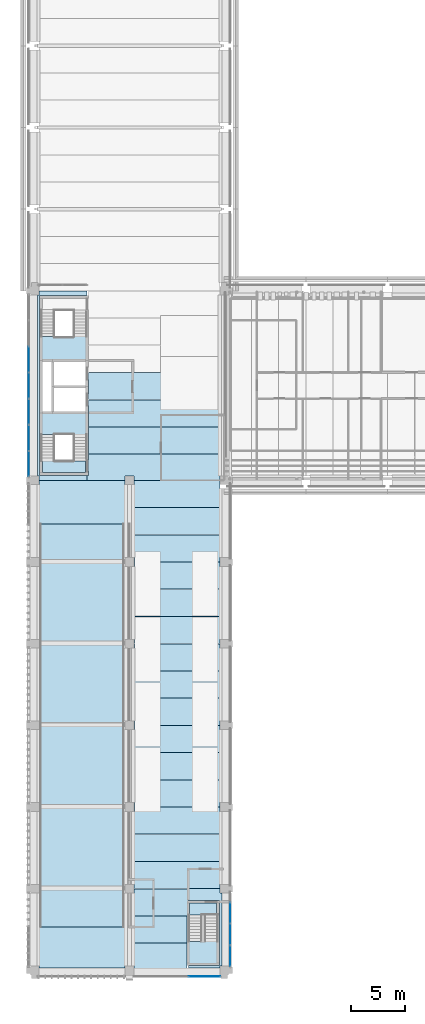
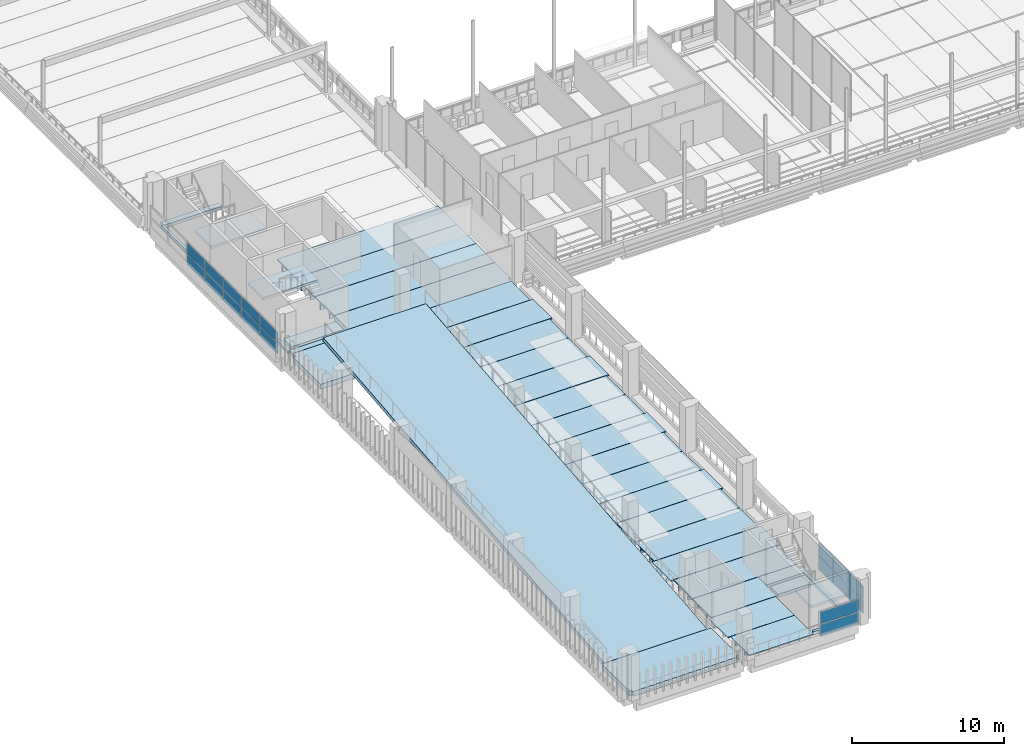
# One storey, part 34 of 62: 32 slabs, 18 plates, 6 elements without a shape of their own.
"""IFC4 building model written with IfcOpenShell, lengths in metres."""

from ifc_helpers import new_model, si_unit, direction, frame, origin, origin_2d, place, context, subcontext, project, spatial, polyline, rectangle, outline, extrude, material, layer, layer_set, material_profile, profile_set, type_object, element, aggregate, save


model = new_model("IFC4")

# Units and contexts
model_context = context("Model", 3, precision=1e-05, world=origin(), true_north=direction((0.0, 1.0)))
body_context = subcontext(model_context, "Body", "Model", "MODEL_VIEW")
ifc_project = project(units=[si_unit("LENGTHUNIT", "METRE"), si_unit("AREAUNIT", "SQUARE_METRE"), si_unit("VOLUMEUNIT", "CUBIC_METRE"), si_unit("PLANEANGLEUNIT", "RADIAN"), si_unit("MASSUNIT", "GRAM", prefix="KILO")], contexts=[model_context])

# Site, building, storey
site_placement = place(None, origin())
site = spatial("IfcSite", under=ifc_project, at=site_placement, CompositionType="ELEMENT")
building_placement = place(site_placement, origin())
building = spatial("IfcBuilding", under=site, at=building_placement, Name="Cour d'Honneur Mobility Palace", CompositionType="ELEMENT")
storey_placement = place(building_placement, frame((0.0, 0.0, 19.300048828125)))
storey = spatial("IfcBuildingStorey", under=building, at=storey_placement, Name="L05", CompositionType="ELEMENT", Elevation=19.300048828125)

# Slabs
ifc_material_1 = material(Name="Concrete C50", Category="concrete")
ifc_layer_1 = layer(ifc_material_1, 0.25)
ifc_layer_set_1 = layer_set([ifc_layer_1], Name="Concrete C50")
slab_type_1 = type_object("IfcSlabType", Name="Cast-in-place Slab 250", PredefinedType="FLOOR", material=ifc_layer_set_1)
slab_1_placement = place(storey_placement, frame((0.0, 0.0, -0.25)))
element("IfcSlab", 1, at=slab_1_placement, inside=storey, type_object=slab_type_1, Name="Cast-in-place slab S1 L05 core", PredefinedType="FLOOR", context=body_context, shape_type="SweptSolid", body=[
    extrude(outline(polyline([(0.39990234375, 45.39990234375), (0.25, 45.39990234375), (0.25, 62.0), (0.39990234375, 62.0), (0.39990234375, 62.39990234375), (4.800048828125, 62.39990234375), (4.800048828125, 61.949951171875), (0.449951171875, 61.949951171875), (0.449951171875, 45.449951171875), (4.800048828125, 45.449951171875), (4.800048828125, 45.0), (0.39990234375, 45.0), (0.39990234375, 45.39990234375)])), origin(), (0.0, 0.0, 1.0), 0.25),
])
slab_2_placement = place(storey_placement, frame((0.0, 0.0, -0.25)))
element("IfcSlab", 2, at=slab_2_placement, inside=storey, type_object=slab_type_1, Name="Cast-in-place slab S1 L05 core", PredefinedType="FLOOR", context=body_context, shape_type="SweptSolid", body=[
    extrude(outline(polyline([(0.699951171875, 45.699951171875), (0.699951171875, 46.77490234375), (4.675048828125, 46.77490234375), (4.675048828125, 45.699951171875), (0.699951171875, 45.699951171875)])), origin(), (0.0, 0.0, 1.0), 0.25),
])
slab_3_placement = place(storey_placement, frame((0.0, 0.0, -0.25)))
element("IfcSlab", 3, at=slab_3_placement, inside=storey, type_object=slab_type_1, Name="Cast-in-place slab S1 L05 stair strip", PredefinedType="FLOOR", context=body_context, shape_type="SweptSolid", body=[
    extrude(outline(polyline([(17.0, 7.10009765625), (17.199951171875, 7.10009765625), (17.199951171875, 0.39990234375), (17.0, 0.39990234375), (17.0, 0.22509765625), (14.10009765625, 0.22509765625), (14.10009765625, 0.449951171875), (16.949951171875, 0.449951171875), (16.949951171875, 6.425048828125), (14.10009765625, 6.425048828125), (14.10009765625, 7.5), (17.0, 7.5), (17.0, 7.10009765625)])), origin(), (0.0, 0.0, 1.0), 0.25),
])
slab_4_placement = place(storey_placement, frame((0.0, 0.0, -0.25)))
element("IfcSlab", 4, at=slab_4_placement, inside=storey, type_object=slab_type_1, Name="Cast-in-place slab S1 L05 stair strip", PredefinedType="FLOOR", context=body_context, shape_type="SweptSolid", body=[
    extrude(outline(polyline([(14.22509765625, 5.10009765625), (14.22509765625, 6.175048828125), (16.699951171875, 6.175048828125), (16.699951171875, 5.10009765625), (14.22509765625, 5.10009765625)])), origin(), (0.0, 0.0, 1.0), 0.25),
])
ifc_material_2 = material(Name="Concrete C50", Category="concrete")
ifc_layer_2 = layer(ifc_material_2, 0.39990234375)
ifc_layer_set_2 = layer_set([ifc_layer_2], Name="Concrete C50")
slab_type_2 = type_object("IfcSlabType", Name="Cast-in-place Slab 400", PredefinedType="LANDING", material=ifc_layer_set_2)
slab_5_placement = place(storey_placement, frame((0.0, 0.0, -0.400146484375)))
element("IfcSlab", 5, at=slab_5_placement, inside=storey, type_object=slab_type_2, Name="Cast-in-place slab S3 L05 landing", PredefinedType="LANDING", context=body_context, shape_type="SweptSolid", body=[
    extrude(outline(polyline([(8.300048828125, 0.39990234375), (8.300048828125, 0.22509765625), (0.39990234375, 0.22509765625), (0.39990234375, 0.39990234375), (0.199951171875, 0.39990234375), (0.199951171875, 4.0), (8.5, 4.0), (8.5, 0.39990234375), (8.300048828125, 0.39990234375)])), origin(), (0.0, 0.0, 1.0), 0.400146484375),
])
slab_6_placement = place(storey_placement, frame((0.0, 0.0, -0.400146484375)))
element("IfcSlab", 6, at=slab_6_placement, inside=storey, type_object=slab_type_2, Name="Cast-in-place slab S3 L05 landing", PredefinedType="LANDING", context=body_context, shape_type="SweptSolid", body=[
    extrude(outline(polyline([(8.5, 44.60009765625), (8.5, 41.0), (0.199951171875, 41.0), (0.199951171875, 44.60009765625), (0.39990234375, 44.60009765625), (0.39990234375, 45.0), (8.300048828125, 45.0), (8.300048828125, 44.60009765625), (8.5, 44.60009765625)])), origin(), (0.0, 0.0, 1.0), 0.400146484375),
])
ifc_material_3 = material(Name="Concrete C50", Category="concrete")
ifc_layer_3 = layer(ifc_material_3, 0.800048828125)
ifc_layer_set_3 = layer_set([ifc_layer_3], Name="Concrete C50")
slab_type_3 = type_object("IfcSlabType", Name="Cast-in-place Slab 800", PredefinedType="FLOOR", material=ifc_layer_set_3)
slab_7_placement = place(storey_placement, frame((0.0, 0.0, -0.800048828125)))
element("IfcSlab", 7, at=slab_7_placement, inside=storey, type_object=slab_type_3, Name="Cast-in-place slab S2 L05 closure", PredefinedType="FLOOR", context=body_context, shape_type="SweptSolid", body=[
    extrude(outline(polyline([(17.0, 45.39990234375), (17.0, 45.0), (9.10009765625, 45.0), (9.10009765625, 45.39990234375), (8.300048828125, 45.39990234375), (8.300048828125, 45.0), (4.800048828125, 45.0), (4.800048828125, 45.449951171875), (4.925048828125, 45.449951171875), (4.925048828125, 47.39990234375), (17.14990234375, 47.39990234375), (17.14990234375, 45.39990234375), (17.0, 45.39990234375)])), origin(), (0.0, 0.0, 1.0), 0.800048828125),
])

# Curtain wall, plates
ifc_material_4 = material(Name="Aluminium and glass", Category="aluminium")
ifc_layer_4 = layer(ifc_material_4, 0.10009765625)
ifc_layer_set_4 = layer_set([ifc_layer_4], Name="Aluminium and glass")
curtain_wall_type = type_object("IfcCurtainWallType", Name="Curtain wall run", PredefinedType="NOTDEFINED", material=ifc_layer_set_4)
curtain_wall_1_placement = place(storey_placement, origin())
curtain_wall_1 = element("IfcCurtainWall", 8, at=curtain_wall_1_placement, inside=storey, type_object=curtain_wall_type, Name="Curtain wall CW-105", PredefinedType="NOTDEFINED")
ifc_material_5 = material(Name="Double glazing", Category="glass")
ifc_layer_5 = layer(ifc_material_5, 0.028076171875)
ifc_layer_set_5 = layer_set([ifc_layer_5], Name="Double glazing")
plate_type = type_object("IfcPlateType", Name="Curtain wall panel", PredefinedType="CURTAIN_PANEL", material=ifc_layer_set_5)
plate_1_placement = place(storey_placement, frame((-0.550048828125, 56.10009765625, 0.06005859375), z_axis=(0.0, 0.0, 1.0), x_axis=(0.0, -1.0, 0.0)))
plate_1 = element("IfcPlate", 9, at=plate_1_placement, type_object=plate_type, Name="CW-105 panel 3.1", PredefinedType="CURTAIN_PANEL", context=body_context, shape_type="SweptSolid", body=[
    extrude(rectangle(XDim=2.340087890625, YDim=0.028076171875, at=origin_2d()), origin(), (0.0, 0.0, 1.0), 0.860107421875),
])
plate_2_placement = place(storey_placement, frame((-0.550048828125, 56.10009765625, 0.97998046875), z_axis=(0.0, 0.0, 1.0), x_axis=(0.0, -1.0, 0.0)))
plate_2 = element("IfcPlate", 10, at=plate_2_placement, type_object=plate_type, Name="CW-105 panel 3.2", PredefinedType="CURTAIN_PANEL", context=body_context, shape_type="SweptSolid", body=[
    extrude(rectangle(XDim=2.340087890625, YDim=0.028076171875, at=origin_2d()), origin(), (0.0, 0.0, 1.0), 0.860107421875),
])
plate_3_placement = place(storey_placement, frame((-0.550048828125, 53.699951171875, 0.06005859375), z_axis=(0.0, 0.0, 1.0), x_axis=(0.0, -1.0, 0.0)))
plate_3 = element("IfcPlate", 11, at=plate_3_placement, type_object=plate_type, Name="CW-105 panel 4.1", PredefinedType="CURTAIN_PANEL", context=body_context, shape_type="SweptSolid", body=[
    extrude(rectangle(XDim=2.340087890625, YDim=0.028076171875, at=origin_2d()), origin(), (0.0, 0.0, 1.0), 0.860107421875),
])
plate_4_placement = place(storey_placement, frame((-0.550048828125, 53.699951171875, 0.97998046875), z_axis=(0.0, 0.0, 1.0), x_axis=(0.0, -1.0, 0.0)))
plate_4 = element("IfcPlate", 12, at=plate_4_placement, type_object=plate_type, Name="CW-105 panel 4.2", PredefinedType="CURTAIN_PANEL", context=body_context, shape_type="SweptSolid", body=[
    extrude(rectangle(XDim=2.340087890625, YDim=0.028076171875, at=origin_2d()), origin(), (0.0, 0.0, 1.0), 0.860107421875),
])
plate_5_placement = place(storey_placement, frame((-0.550048828125, 51.300048828125, 0.06005859375), z_axis=(0.0, 0.0, 1.0), x_axis=(0.0, -1.0, 0.0)))
plate_5 = element("IfcPlate", 13, at=plate_5_placement, type_object=plate_type, Name="CW-105 panel 5.1", PredefinedType="CURTAIN_PANEL", context=body_context, shape_type="SweptSolid", body=[
    extrude(rectangle(XDim=2.340087890625, YDim=0.028076171875, at=origin_2d()), origin(), (0.0, 0.0, 1.0), 0.860107421875),
])
plate_6_placement = place(storey_placement, frame((-0.550048828125, 51.300048828125, 0.97998046875), z_axis=(0.0, 0.0, 1.0), x_axis=(0.0, -1.0, 0.0)))
plate_6 = element("IfcPlate", 14, at=plate_6_placement, type_object=plate_type, Name="CW-105 panel 5.2", PredefinedType="CURTAIN_PANEL", context=body_context, shape_type="SweptSolid", body=[
    extrude(rectangle(XDim=2.340087890625, YDim=0.028076171875, at=origin_2d()), origin(), (0.0, 0.0, 1.0), 0.860107421875),
])
plate_7_placement = place(storey_placement, frame((-0.550048828125, 48.89990234375, 0.06005859375), z_axis=(0.0, 0.0, 1.0), x_axis=(0.0, -1.0, 0.0)))
plate_7 = element("IfcPlate", 15, at=plate_7_placement, type_object=plate_type, Name="CW-105 panel 6.1", PredefinedType="CURTAIN_PANEL", context=body_context, shape_type="SweptSolid", body=[
    extrude(rectangle(XDim=2.340087890625, YDim=0.028076171875, at=origin_2d()), origin(), (0.0, 0.0, 1.0), 0.860107421875),
])
plate_8_placement = place(storey_placement, frame((-0.550048828125, 48.89990234375, 0.97998046875), z_axis=(0.0, 0.0, 1.0), x_axis=(0.0, -1.0, 0.0)))
plate_8 = element("IfcPlate", 16, at=plate_8_placement, type_object=plate_type, Name="CW-105 panel 6.2", PredefinedType="CURTAIN_PANEL", context=body_context, shape_type="SweptSolid", body=[
    extrude(rectangle(XDim=2.340087890625, YDim=0.028076171875, at=origin_2d()), origin(), (0.0, 0.0, 1.0), 0.860107421875),
])
plate_9_placement = place(storey_placement, frame((-0.550048828125, 46.514892578125, 0.06005859375), z_axis=(0.0, 0.0, 1.0), x_axis=(0.0, -1.0, 0.0)))
plate_9 = element("IfcPlate", 17, at=plate_9_placement, type_object=plate_type, Name="CW-105 panel 7.1", PredefinedType="CURTAIN_PANEL", context=body_context, shape_type="SweptSolid", body=[
    extrude(rectangle(XDim=2.31005859375, YDim=0.028076171875, at=origin_2d()), origin(), (0.0, 0.0, 1.0), 0.860107421875),
])
plate_10_placement = place(storey_placement, frame((-0.550048828125, 46.514892578125, 0.97998046875), z_axis=(0.0, 0.0, 1.0), x_axis=(0.0, -1.0, 0.0)))
plate_10 = element("IfcPlate", 18, at=plate_10_placement, type_object=plate_type, Name="CW-105 panel 7.2", PredefinedType="CURTAIN_PANEL", context=body_context, shape_type="SweptSolid", body=[
    extrude(rectangle(XDim=2.31005859375, YDim=0.028076171875, at=origin_2d()), origin(), (0.0, 0.0, 1.0), 0.860107421875),
])
aggregate(curtain_wall_1, [plate_1, plate_2, plate_3, plate_4, plate_5, plate_6, plate_7, plate_8, plate_9, plate_10])

curtain_wall_2_placement = place(storey_placement, origin())
curtain_wall_2 = element("IfcCurtainWall", 19, at=curtain_wall_2_placement, inside=storey, type_object=curtain_wall_type, Name="Curtain wall CW-161", PredefinedType="NOTDEFINED")
plate_11_placement = place(storey_placement, frame((15.60009765625, -0.550048828125, 0.06005859375), z_axis=(0.0, 0.0, 1.0), x_axis=(1.0, 0.0, 0.0)))
plate_11 = element("IfcPlate", 20, at=plate_11_placement, type_object=plate_type, Name="CW-161 panel 1.1", PredefinedType="CURTAIN_PANEL", context=body_context, shape_type="SweptSolid", body=[
    extrude(rectangle(XDim=2.8798828125, YDim=0.028076171875, at=origin_2d()), origin(), (0.0, 0.0, 1.0), 0.9599609375),
])
plate_12_placement = place(storey_placement, frame((15.60009765625, -0.550048828125, 1.080078125), z_axis=(0.0, 0.0, 1.0), x_axis=(1.0, 0.0, 0.0)))
plate_12 = element("IfcPlate", 21, at=plate_12_placement, type_object=plate_type, Name="CW-161 panel 1.2", PredefinedType="CURTAIN_PANEL", context=body_context, shape_type="SweptSolid", body=[
    extrude(rectangle(XDim=2.8798828125, YDim=0.028076171875, at=origin_2d()), origin(), (0.0, 0.0, 1.0), 0.9599609375),
])
aggregate(curtain_wall_2, [plate_11, plate_12])

curtain_wall_3_placement = place(storey_placement, origin())
curtain_wall_3 = element("IfcCurtainWall", 22, at=curtain_wall_3_placement, inside=storey, type_object=curtain_wall_type, Name="Curtain wall CW-162", PredefinedType="NOTDEFINED")
plate_13_placement = place(storey_placement, frame((17.949951171875, 1.31494140625, 0.059814453125), z_axis=(0.0, 0.0, 1.0), x_axis=(0.0, 1.0, 0.0)))
plate_13 = element("IfcPlate", 23, at=plate_13_placement, type_object=plate_type, Name="CW-162 panel 1.1", PredefinedType="CURTAIN_PANEL", context=body_context, shape_type="SweptSolid", body=[
    extrude(rectangle(XDim=1.909912109375, YDim=0.028076171875, at=origin_2d()), origin(), (0.0, 0.0, 1.0), 1.06005859375),
])
plate_14_placement = place(storey_placement, frame((17.949951171875, 1.31494140625, 1.179931640625), z_axis=(0.0, 0.0, 1.0), x_axis=(0.0, 1.0, 0.0)))
plate_14 = element("IfcPlate", 24, at=plate_14_placement, type_object=plate_type, Name="CW-162 panel 1.2", PredefinedType="CURTAIN_PANEL", context=body_context, shape_type="SweptSolid", body=[
    extrude(rectangle(XDim=1.909912109375, YDim=0.028076171875, at=origin_2d()), origin(), (0.0, 0.0, 1.0), 1.06005859375),
])
plate_15_placement = place(storey_placement, frame((17.949951171875, 3.300048828125, 0.059814453125), z_axis=(0.0, 0.0, 1.0), x_axis=(0.0, 1.0, 0.0)))
plate_15 = element("IfcPlate", 25, at=plate_15_placement, type_object=plate_type, Name="CW-162 panel 2.1", PredefinedType="CURTAIN_PANEL", context=body_context, shape_type="SweptSolid", body=[
    extrude(rectangle(XDim=1.93994140625, YDim=0.028076171875, at=origin_2d()), origin(), (0.0, 0.0, 1.0), 1.06005859375),
])
plate_16_placement = place(storey_placement, frame((17.949951171875, 3.300048828125, 1.179931640625), z_axis=(0.0, 0.0, 1.0), x_axis=(0.0, 1.0, 0.0)))
plate_16 = element("IfcPlate", 26, at=plate_16_placement, type_object=plate_type, Name="CW-162 panel 2.2", PredefinedType="CURTAIN_PANEL", context=body_context, shape_type="SweptSolid", body=[
    extrude(rectangle(XDim=1.93994140625, YDim=0.028076171875, at=origin_2d()), origin(), (0.0, 0.0, 1.0), 1.06005859375),
])
plate_17_placement = place(storey_placement, frame((17.949951171875, 5.284912109375, 0.059814453125), z_axis=(0.0, 0.0, 1.0), x_axis=(0.0, 1.0, 0.0)))
plate_17 = element("IfcPlate", 27, at=plate_17_placement, type_object=plate_type, Name="CW-162 panel 3.1", PredefinedType="CURTAIN_PANEL", context=body_context, shape_type="SweptSolid", body=[
    extrude(rectangle(XDim=1.909912109375, YDim=0.028076171875, at=origin_2d()), origin(), (0.0, 0.0, 1.0), 1.06005859375),
])
plate_18_placement = place(storey_placement, frame((17.949951171875, 5.284912109375, 1.179931640625), z_axis=(0.0, 0.0, 1.0), x_axis=(0.0, 1.0, 0.0)))
plate_18 = element("IfcPlate", 28, at=plate_18_placement, type_object=plate_type, Name="CW-162 panel 3.2", PredefinedType="CURTAIN_PANEL", context=body_context, shape_type="SweptSolid", body=[
    extrude(rectangle(XDim=1.909912109375, YDim=0.028076171875, at=origin_2d()), origin(), (0.0, 0.0, 1.0), 1.06005859375),
])
aggregate(curtain_wall_3, [plate_13, plate_14, plate_15, plate_16, plate_17, plate_18])

# Slabs
ifc_material_6 = material(Name="Concrete C45", Category="concrete")
ifc_material_profile_1 = material_profile(ifc_material_6, outline(polyline([(-1.2451171875, 0.0), (1.2451171875, 0.0), (1.2451171875, -0.074951171875), (0.659912109375, -0.074951171875), (0.639892578125, -0.39990234375), (0.56005859375, -0.39990234375), (0.5400390625, -0.074951171875), (-0.5400390625, -0.074951171875), (-0.56005859375, -0.39990234375), (-0.639892578125, -0.39990234375), (-0.659912109375, -0.074951171875), (-1.2451171875, -0.074951171875), (-1.2451171875, 0.0)])), Name="DT 2490x400")
ifc_profile_set_1 = profile_set([ifc_material_profile_1], Name="Concrete C45")
slab_type_4 = type_object("IfcSlabType", Name="DT 2490x400", PredefinedType="FLOOR", material=ifc_profile_set_1)
slab_8_placement = place(storey_placement, frame((9.10009765625, 1.25, 0.0), z_axis=(1.0, 0.0, 0.0), x_axis=(0.0, 1.0, 0.0)))
element("IfcSlab", 29, at=slab_8_placement, inside=storey, type_object=slab_type_4, Name="Double tee DT-SW1 L05", PredefinedType="FLOOR", context=body_context, shape_type="SweptSolid", body=[
    extrude(outline(polyline([(-1.2451171875, 0.0), (1.2451171875, 0.0), (1.2451171875, -0.074951171875), (0.659912109375, -0.074951171875), (0.639892578125, -0.39990234375), (0.56005859375, -0.39990234375), (0.5400390625, -0.074951171875), (-0.5400390625, -0.074951171875), (-0.56005859375, -0.39990234375), (-0.639892578125, -0.39990234375), (-0.659912109375, -0.074951171875), (-1.2451171875, -0.074951171875), (-1.2451171875, 0.0)])), origin(), (0.0, 0.0, 1.0), 4.875),
])
slab_9_placement = place(storey_placement, frame((8.89990234375, 3.75, 0.0), z_axis=(1.0, 0.0, 0.0), x_axis=(0.0, 1.0, 0.0)))
element("IfcSlab", 30, at=slab_9_placement, inside=storey, type_object=slab_type_4, Name="Double tee DT-SW2 L05", PredefinedType="FLOOR", context=body_context, shape_type="SweptSolid", body=[
    extrude(outline(polyline([(-1.2451171875, 0.0), (1.2451171875, 0.0), (1.2451171875, -0.074951171875), (0.659912109375, -0.074951171875), (0.639892578125, -0.39990234375), (0.56005859375, -0.39990234375), (0.5400390625, -0.074951171875), (-0.5400390625, -0.074951171875), (-0.56005859375, -0.39990234375), (-0.639892578125, -0.39990234375), (-0.659912109375, -0.074951171875), (-1.2451171875, -0.074951171875), (-1.2451171875, 0.0)])), origin(), (0.0, 0.0, 1.0), 5.0751953125),
])
slab_10_placement = place(storey_placement, frame((9.10009765625, 6.25, 0.0), z_axis=(1.0, 0.0, 0.0), x_axis=(0.0, 1.0, 0.0)))
element("IfcSlab", 31, at=slab_10_placement, inside=storey, type_object=slab_type_4, Name="Double tee DT-SW3 L05", PredefinedType="FLOOR", context=body_context, shape_type="SweptSolid", body=[
    extrude(outline(polyline([(-1.2451171875, 0.0), (1.2451171875, 0.0), (1.2451171875, -0.074951171875), (0.659912109375, -0.074951171875), (0.639892578125, -0.39990234375), (0.56005859375, -0.39990234375), (0.5400390625, -0.074951171875), (-0.5400390625, -0.074951171875), (-0.56005859375, -0.39990234375), (-0.639892578125, -0.39990234375), (-0.659912109375, -0.074951171875), (-1.2451171875, -0.074951171875), (-1.2451171875, 0.0)])), origin(), (0.0, 0.0, 1.0), 5.0),
])
ifc_material_7 = material(Name="Concrete C45", Category="concrete")
ifc_material_profile_2 = material_profile(ifc_material_7, outline(polyline([(-1.2451171875, 0.0), (1.2451171875, 0.0), (1.2451171875, -0.10009765625), (0.669921875, -0.10009765625), (0.64501953125, -0.5), (0.554931640625, -0.5), (0.530029296875, -0.10009765625), (-0.530029296875, -0.10009765625), (-0.554931640625, -0.5), (-0.64501953125, -0.5), (-0.669921875, -0.10009765625), (-1.2451171875, -0.10009765625), (-1.2451171875, 0.0)])), Name="DT 2490x500")
ifc_profile_set_2 = profile_set([ifc_material_profile_2], Name="Concrete C45")
slab_type_5 = type_object("IfcSlabType", Name="DT 2490x500", PredefinedType="FLOOR", material=ifc_profile_set_2)
slab_11_placement = place(storey_placement, frame((9.10009765625, 8.75, 0.0), z_axis=(1.0, 0.0, 0.0), x_axis=(0.0, 1.0, 0.0)))
element("IfcSlab", 32, at=slab_11_placement, inside=storey, type_object=slab_type_5, Name="Double tee DT-SW4 L05", PredefinedType="FLOOR", context=body_context, shape_type="SweptSolid", body=[
    extrude(outline(polyline([(-1.2451171875, 0.0), (1.2451171875, 0.0), (1.2451171875, -0.10009765625), (0.669921875, -0.10009765625), (0.64501953125, -0.5), (0.554931640625, -0.5), (0.530029296875, -0.10009765625), (-0.530029296875, -0.10009765625), (-0.554931640625, -0.5), (-0.64501953125, -0.5), (-0.669921875, -0.10009765625), (-1.2451171875, -0.10009765625), (-1.2451171875, 0.0)])), origin(), (0.0, 0.0, 1.0), 7.89990234375),
])
slab_12_placement = place(storey_placement, frame((8.89990234375, 11.25, 0.0), z_axis=(1.0, 0.0, 0.0), x_axis=(0.0, 1.0, 0.0)))
element("IfcSlab", 33, at=slab_12_placement, inside=storey, type_object=slab_type_5, Name="Double tee DT-SW5 L05", PredefinedType="FLOOR", context=body_context, shape_type="SweptSolid", body=[
    extrude(outline(polyline([(-1.2451171875, 0.0), (1.2451171875, 0.0), (1.2451171875, -0.10009765625), (0.669921875, -0.10009765625), (0.64501953125, -0.5), (0.554931640625, -0.5), (0.530029296875, -0.10009765625), (-0.530029296875, -0.10009765625), (-0.554931640625, -0.5), (-0.64501953125, -0.5), (-0.669921875, -0.10009765625), (-1.2451171875, -0.10009765625), (-1.2451171875, 0.0)])), origin(), (0.0, 0.0, 1.0), 8.300048828125),
])
for number, where, z_axis, x_axis, name in (
    (34, (9.10009765625, 13.75, 0.0), (1.0, 0.0, 0.0), (0.0, 1.0, 0.0), "Double tee DT-SW6 L05"),
    (35, (9.10009765625, 16.25, 0.0), (1.0, 0.0, 0.0), (0.0, 1.0, 0.0), "Double tee DT-SW7 L05"),
):
    element("IfcSlab", number, at=place(storey_placement, frame(where, z_axis=z_axis, x_axis=x_axis)), inside=storey, type_object=slab_type_5, Name=name, PredefinedType="FLOOR", context=body_context, shape_type="SweptSolid", body=[
        extrude(outline(polyline([(-1.2451171875, 0.0), (1.2451171875, 0.0), (1.2451171875, -0.10009765625), (0.669921875, -0.10009765625), (0.64501953125, -0.5), (0.554931640625, -0.5), (0.530029296875, -0.10009765625), (-0.530029296875, -0.10009765625), (-0.554931640625, -0.5), (-0.64501953125, -0.5), (-0.669921875, -0.10009765625), (-1.2451171875, -0.10009765625), (-1.2451171875, 0.0)])), origin(), (0.0, 0.0, 1.0), 7.89990234375),
    ])
slab_13_placement = place(storey_placement, frame((8.89990234375, 18.75, 0.0), z_axis=(1.0, 0.0, 0.0), x_axis=(0.0, 1.0, 0.0)))
element("IfcSlab", 36, at=slab_13_placement, inside=storey, type_object=slab_type_5, Name="Double tee DT-SW8 L05", PredefinedType="FLOOR", context=body_context, shape_type="SweptSolid", body=[
    extrude(outline(polyline([(-1.2451171875, 0.0), (1.2451171875, 0.0), (1.2451171875, -0.10009765625), (0.669921875, -0.10009765625), (0.64501953125, -0.5), (0.554931640625, -0.5), (0.530029296875, -0.10009765625), (-0.530029296875, -0.10009765625), (-0.554931640625, -0.5), (-0.64501953125, -0.5), (-0.669921875, -0.10009765625), (-1.2451171875, -0.10009765625), (-1.2451171875, 0.0)])), origin(), (0.0, 0.0, 1.0), 8.300048828125),
])
for number, where, z_axis, x_axis, name in (
    (37, (9.10009765625, 21.25, 0.0), (1.0, 0.0, 0.0), (0.0, 1.0, 0.0), "Double tee DT-SW9 L05"),
    (38, (9.10009765625, 23.75, 0.0), (1.0, 0.0, 0.0), (0.0, 1.0, 0.0), "Double tee DT-SW10 L05"),
):
    element("IfcSlab", number, at=place(storey_placement, frame(where, z_axis=z_axis, x_axis=x_axis)), inside=storey, type_object=slab_type_5, Name=name, PredefinedType="FLOOR", context=body_context, shape_type="SweptSolid", body=[
        extrude(outline(polyline([(-1.2451171875, 0.0), (1.2451171875, 0.0), (1.2451171875, -0.10009765625), (0.669921875, -0.10009765625), (0.64501953125, -0.5), (0.554931640625, -0.5), (0.530029296875, -0.10009765625), (-0.530029296875, -0.10009765625), (-0.554931640625, -0.5), (-0.64501953125, -0.5), (-0.669921875, -0.10009765625), (-1.2451171875, -0.10009765625), (-1.2451171875, 0.0)])), origin(), (0.0, 0.0, 1.0), 7.89990234375),
    ])
slab_14_placement = place(storey_placement, frame((8.89990234375, 26.25, 0.0), z_axis=(1.0, 0.0, 0.0), x_axis=(0.0, 1.0, 0.0)))
element("IfcSlab", 39, at=slab_14_placement, inside=storey, type_object=slab_type_5, Name="Double tee DT-SW11 L05", PredefinedType="FLOOR", context=body_context, shape_type="SweptSolid", body=[
    extrude(outline(polyline([(-1.2451171875, 0.0), (1.2451171875, 0.0), (1.2451171875, -0.10009765625), (0.669921875, -0.10009765625), (0.64501953125, -0.5), (0.554931640625, -0.5), (0.530029296875, -0.10009765625), (-0.530029296875, -0.10009765625), (-0.554931640625, -0.5), (-0.64501953125, -0.5), (-0.669921875, -0.10009765625), (-1.2451171875, -0.10009765625), (-1.2451171875, 0.0)])), origin(), (0.0, 0.0, 1.0), 8.300048828125),
])
for number, where, z_axis, x_axis, name in (
    (40, (9.10009765625, 28.75, 0.0), (1.0, 0.0, 0.0), (0.0, 1.0, 0.0), "Double tee DT-SW12 L05"),
    (41, (9.10009765625, 31.25, 0.0), (1.0, 0.0, 0.0), (0.0, 1.0, 0.0), "Double tee DT-SW13 L05"),
):
    element("IfcSlab", number, at=place(storey_placement, frame(where, z_axis=z_axis, x_axis=x_axis)), inside=storey, type_object=slab_type_5, Name=name, PredefinedType="FLOOR", context=body_context, shape_type="SweptSolid", body=[
        extrude(outline(polyline([(-1.2451171875, 0.0), (1.2451171875, 0.0), (1.2451171875, -0.10009765625), (0.669921875, -0.10009765625), (0.64501953125, -0.5), (0.554931640625, -0.5), (0.530029296875, -0.10009765625), (-0.530029296875, -0.10009765625), (-0.554931640625, -0.5), (-0.64501953125, -0.5), (-0.669921875, -0.10009765625), (-1.2451171875, -0.10009765625), (-1.2451171875, 0.0)])), origin(), (0.0, 0.0, 1.0), 7.89990234375),
    ])
slab_15_placement = place(storey_placement, frame((8.89990234375, 33.75, 0.0), z_axis=(1.0, 0.0, 0.0), x_axis=(0.0, 1.0, 0.0)))
element("IfcSlab", 42, at=slab_15_placement, inside=storey, type_object=slab_type_5, Name="Double tee DT-SW14 L05", PredefinedType="FLOOR", context=body_context, shape_type="SweptSolid", body=[
    extrude(outline(polyline([(-1.2451171875, 0.0), (1.2451171875, 0.0), (1.2451171875, -0.10009765625), (0.669921875, -0.10009765625), (0.64501953125, -0.5), (0.554931640625, -0.5), (0.530029296875, -0.10009765625), (-0.530029296875, -0.10009765625), (-0.554931640625, -0.5), (-0.64501953125, -0.5), (-0.669921875, -0.10009765625), (-1.2451171875, -0.10009765625), (-1.2451171875, 0.0)])), origin(), (0.0, 0.0, 1.0), 8.300048828125),
])
for number, where, z_axis, x_axis, name in (
    (43, (9.10009765625, 36.25, 0.0), (1.0, 0.0, 0.0), (0.0, 1.0, 0.0), "Double tee DT-SW15 L05"),
    (44, (9.10009765625, 38.75, 0.0), (1.0, 0.0, 0.0), (0.0, 1.0, 0.0), "Double tee DT-SW16 L05"),
):
    element("IfcSlab", number, at=place(storey_placement, frame(where, z_axis=z_axis, x_axis=x_axis)), inside=storey, type_object=slab_type_5, Name=name, PredefinedType="FLOOR", context=body_context, shape_type="SweptSolid", body=[
        extrude(outline(polyline([(-1.2451171875, 0.0), (1.2451171875, 0.0), (1.2451171875, -0.10009765625), (0.669921875, -0.10009765625), (0.64501953125, -0.5), (0.554931640625, -0.5), (0.530029296875, -0.10009765625), (-0.530029296875, -0.10009765625), (-0.554931640625, -0.5), (-0.64501953125, -0.5), (-0.669921875, -0.10009765625), (-1.2451171875, -0.10009765625), (-1.2451171875, 0.0)])), origin(), (0.0, 0.0, 1.0), 7.89990234375),
    ])
slab_16_placement = place(storey_placement, frame((8.89990234375, 41.25, 0.0), z_axis=(1.0, 0.0, 0.0), x_axis=(0.0, 1.0, 0.0)))
element("IfcSlab", 45, at=slab_16_placement, inside=storey, type_object=slab_type_5, Name="Double tee DT-SW17 L05", PredefinedType="FLOOR", context=body_context, shape_type="SweptSolid", body=[
    extrude(outline(polyline([(-1.2451171875, 0.0), (1.2451171875, 0.0), (1.2451171875, -0.10009765625), (0.669921875, -0.10009765625), (0.64501953125, -0.5), (0.554931640625, -0.5), (0.530029296875, -0.10009765625), (-0.530029296875, -0.10009765625), (-0.554931640625, -0.5), (-0.64501953125, -0.5), (-0.669921875, -0.10009765625), (-1.2451171875, -0.10009765625), (-1.2451171875, 0.0)])), origin(), (0.0, 0.0, 1.0), 8.300048828125),
])
slab_17_placement = place(storey_placement, frame((9.10009765625, 43.75, 0.0), z_axis=(1.0, 0.0, 0.0), x_axis=(0.0, 1.0, 0.0)))
element("IfcSlab", 46, at=slab_17_placement, inside=storey, type_object=slab_type_5, Name="Double tee DT-SW18 L05", PredefinedType="FLOOR", context=body_context, shape_type="SweptSolid", body=[
    extrude(outline(polyline([(-1.2451171875, 0.0), (1.2451171875, 0.0), (1.2451171875, -0.10009765625), (0.669921875, -0.10009765625), (0.64501953125, -0.5), (0.554931640625, -0.5), (0.530029296875, -0.10009765625), (-0.530029296875, -0.10009765625), (-0.554931640625, -0.5), (-0.64501953125, -0.5), (-0.669921875, -0.10009765625), (-1.2451171875, -0.10009765625), (-1.2451171875, 0.0)])), origin(), (0.0, 0.0, 1.0), 7.89990234375),
])
ifc_material_8 = material(Name="Concrete C45", Category="concrete")
ifc_material_profile_3 = material_profile(ifc_material_8, outline(polyline([(-1.2451171875, 0.0), (1.2451171875, 0.0), (1.2451171875, -0.10009765625), (0.679931640625, -0.10009765625), (0.64990234375, -0.64990234375), (0.550048828125, -0.64990234375), (0.52001953125, -0.10009765625), (-0.52001953125, -0.10009765625), (-0.550048828125, -0.64990234375), (-0.64990234375, -0.64990234375), (-0.679931640625, -0.10009765625), (-1.2451171875, -0.10009765625), (-1.2451171875, 0.0)])), Name="DT 2490x650")
ifc_profile_set_3 = profile_set([ifc_material_profile_3], Name="Concrete C45")
slab_type_6 = type_object("IfcSlabType", Name="DT 2490x650", PredefinedType="FLOOR", material=ifc_profile_set_3)
for number, where, z_axis, x_axis, name in (
    (47, (4.925048828125, 48.64990234375, 0.0), (1.0, 0.0, 0.0), (0.0, 1.0, 0.0), "Double tee DT-JW1 L05"),
    (48, (4.925048828125, 51.14990234375, 0.0), (1.0, 0.0, 0.0), (0.0, 1.0, 0.0), "Double tee DT-JW2 L05"),
    (49, (4.925048828125, 53.64990234375, 0.0), (1.0, 0.0, 0.0), (0.0, 1.0, 0.0), "Double tee DT-JW3 L05"),
):
    element("IfcSlab", number, at=place(storey_placement, frame(where, z_axis=z_axis, x_axis=x_axis)), inside=storey, type_object=slab_type_6, Name=name, PredefinedType="FLOOR", context=body_context, shape_type="SweptSolid", body=[
        extrude(outline(polyline([(-1.2451171875, 0.0), (1.2451171875, 0.0), (1.2451171875, -0.10009765625), (0.679931640625, -0.10009765625), (0.64990234375, -0.64990234375), (0.550048828125, -0.64990234375), (0.52001953125, -0.10009765625), (-0.52001953125, -0.10009765625), (-0.550048828125, -0.64990234375), (-0.64990234375, -0.64990234375), (-0.679931640625, -0.10009765625), (-1.2451171875, -0.10009765625), (-1.2451171875, 0.0)])), origin(), (0.0, 0.0, 1.0), 12.224853515625),
    ])

# Stair, slab
ifc_material_9 = material(Name="Concrete C50", Category="concrete")
stair_type = type_object("IfcStairType", Name="Stair 20 risers", PredefinedType="HALF_TURN_STAIR", material=ifc_material_9)
stair_1_placement = place(storey_placement, origin())
stair_1 = element("IfcStair", 50, at=stair_1_placement, inside=storey, type_object=stair_type, Name="Stair ST-CW1", PredefinedType="HALF_TURN_STAIR")
ifc_material_10 = material(Name="Concrete C50", Category="concrete")
ifc_layer_6 = layer(ifc_material_10, 0.199951171875)
ifc_layer_set_6 = layer_set([ifc_layer_6], Name="Concrete C50")
slab_type_7 = type_object("IfcSlabType", Name="Stair landing", PredefinedType="LANDING", material=ifc_layer_set_6)
slab_18_placement = place(storey_placement, frame((0.0, 0.0, 1.64990234375)))
slab_18 = element("IfcSlab", 51, at=slab_18_placement, type_object=slab_type_7, Name="ST-CW1 landing 1", PredefinedType="LANDING", context=body_context, shape_type="SweptSolid", body=[
    extrude(outline(polyline([(0.574951171875, 49.205078125), (4.800048828125, 49.205078125), (4.800048828125, 51.199951171875), (0.574951171875, 51.199951171875), (0.574951171875, 49.205078125)])), origin(), (0.0, 0.0, 1.0), 0.199951171875),
])
aggregate(stair_1, [slab_18])

stair_2_placement = place(storey_placement, origin())
stair_2 = element("IfcStair", 52, at=stair_2_placement, inside=storey, type_object=stair_type, Name="Stair ST-CW2", PredefinedType="HALF_TURN_STAIR")
slab_19_placement = place(storey_placement, frame((0.0, 0.0, 1.64990234375)))
slab_19 = element("IfcSlab", 53, at=slab_19_placement, type_object=slab_type_7, Name="ST-CW2 landing 1", PredefinedType="LANDING", context=body_context, shape_type="SweptSolid", body=[
    extrude(outline(polyline([(0.574951171875, 56.0), (4.800048828125, 56.0), (4.800048828125, 58.195068359375), (0.574951171875, 58.195068359375), (0.574951171875, 56.0)])), origin(), (0.0, 0.0, 1.0), 0.199951171875),
])
aggregate(stair_2, [slab_19])

stair_3_placement = place(storey_placement, origin())
stair_3 = element("IfcStair", 54, at=stair_3_placement, inside=storey, type_object=stair_type, Name="Stair ST-RW1", PredefinedType="HALF_TURN_STAIR")
slab_20_placement = place(storey_placement, frame((0.0, 0.0, 1.64990234375)))
slab_20 = element("IfcSlab", 55, at=slab_20_placement, type_object=slab_type_7, Name="ST-RW1 landing 1", PredefinedType="LANDING", context=body_context, shape_type="SweptSolid", body=[
    extrude(outline(polyline([(14.10009765625, 0.574951171875), (16.824951171875, 0.574951171875), (16.824951171875, 2.669921875), (14.10009765625, 2.669921875), (14.10009765625, 0.574951171875)])), origin(), (0.0, 0.0, 1.0), 0.199951171875),
])
aggregate(stair_3, [slab_20])

# Slab
ifc_material_11 = material(Name="Concrete C45", Category="concrete")
ifc_layer_7 = layer(ifc_material_11, 0.300048828125)
ifc_layer_set_7 = layer_set([ifc_layer_7], Name="Concrete C45")
slab_type_8 = type_object("IfcSlabType", Name="Vehicle ramp slab 300", PredefinedType="USERDEFINED", material=ifc_layer_set_7)
slab_21_placement = place(storey_placement, frame((0.39990234375, 4.0, 0.0), z_axis=(0.0, -0.099502418892, 0.995037320222), x_axis=(1.0, 0.0, 0.0)))
element("IfcSlab", 56, at=slab_21_placement, inside=storey, type_object=slab_type_8, Name="Vehicle ramp West 6 slab", ObjectType="VEHICLE RAMP SLAB", PredefinedType="USERDEFINED", context=body_context, shape_type="SweptSolid", body=[
    extrude(outline(polyline([(0.0, 0.0), (7.800048828125, 0.0), (7.800048828125, 37.184534939599004), (0.0, 37.184534939599004), (0.0, 0.0)])), origin(), (0.0, 0.0, -1.0), 0.300048828125),
])

save(model, "model.ifc")
